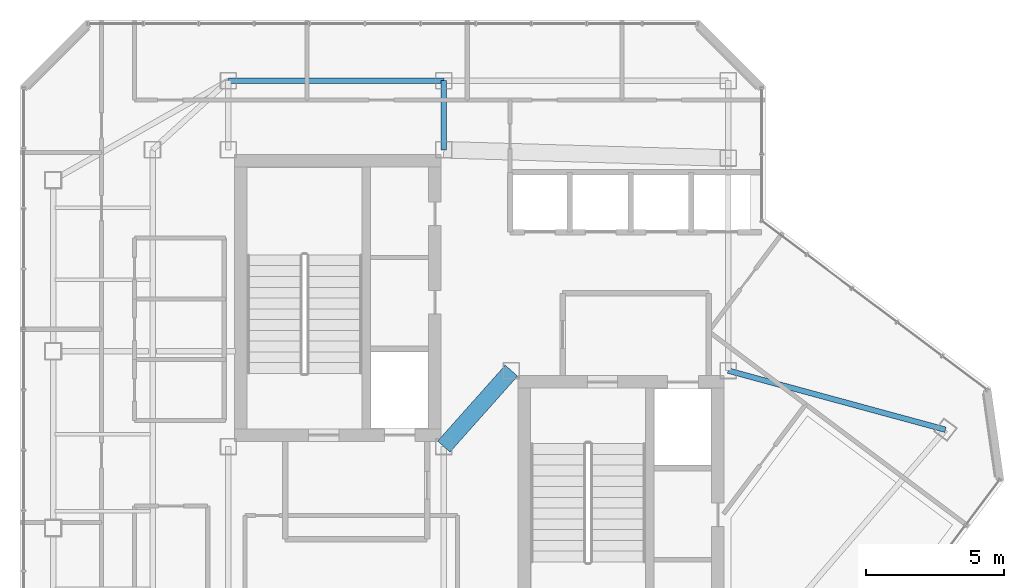
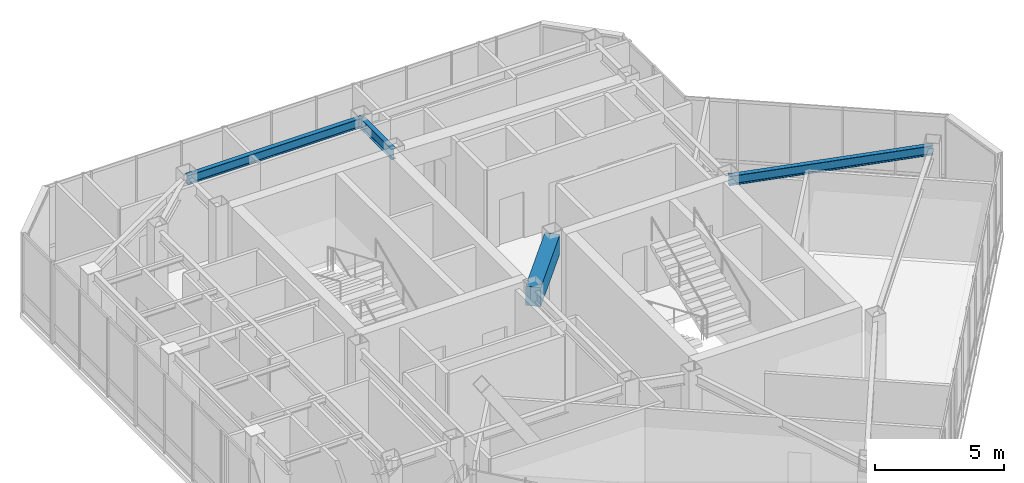
# One storey, part 17 of 31: 4 beams.
"""IFC4 building model written with IfcOpenShell, lengths in metres."""

from ifc_helpers import new_model, si_unit, direction, frame, origin, origin_2d, place, context, subcontext, project, spatial, rectangle, i_section, extrude, material, material_profile, profile_set, type_object, element, save


model = new_model("IFC4")

# Units and contexts
model_context = context("Model", 3, precision=1e-05, world=origin(), true_north=direction((0.0, 1.0)))
body_context = subcontext(model_context, "Body", "Model", "MODEL_VIEW")
ifc_project = project(units=[si_unit("LENGTHUNIT", "METRE"), si_unit("AREAUNIT", "SQUARE_METRE"), si_unit("VOLUMEUNIT", "CUBIC_METRE"), si_unit("PLANEANGLEUNIT", "RADIAN"), si_unit("MASSUNIT", "GRAM", prefix="KILO")], contexts=[model_context])

# Site, building, storey
site_placement = place(None, origin())
site = spatial("IfcSite", under=ifc_project, at=site_placement, CompositionType="ELEMENT")
building_placement = place(site_placement, origin())
building = spatial("IfcBuilding", under=site, at=building_placement, Name="Hatsunagi Terrace Concourse", CompositionType="ELEMENT")
storey_placement = place(building_placement, frame((0.0, 0.0, 269.949951171875)))
storey = spatial("IfcBuildingStorey", under=building, at=storey_placement, Name="L71", CompositionType="ELEMENT", Elevation=269.949951171875)

# Beams
ifc_material_1 = material(Name="Concrete Fc42", Category="concrete")
ifc_material_profile_1 = material_profile(ifc_material_1, rectangle(XDim=0.60009765625, YDim=0.89990234375, at=origin_2d()), Name="RC-600x900")
ifc_profile_set_1 = profile_set([ifc_material_profile_1], Name="Concrete Fc42")
beam_type_1 = type_object("IfcBeamType", Name="CoreCouplingBeam_RC_600x900", PredefinedType="BEAM", material=ifc_profile_set_1)
beam_1_placement = place(storey_placement, frame((33.35009765625, 32.550048828125, 3.300048828125), z_axis=(0.665198651008, 0.746666427997, 0.0), x_axis=(-0.746666427997, 0.665198651008, 0.0)))
element("IfcBeam", 1, at=beam_1_placement, inside=storey, type_object=beam_type_1, Name="Beam CB-03 CB-L71-1", PredefinedType="BEAM", context=body_context, shape_type="SweptSolid", body=[
    extrude(rectangle(XDim=0.60009765625, YDim=0.89990234375, at=origin_2d()), origin(), (0.0, 0.0, 1.0), 3.68310546875),
])
ifc_material_2 = material(Name="Steel SN490B", Category="steel")
ifc_material_profile_2 = material_profile(ifc_material_2, i_section(OverallWidth=0.199951171875, OverallDepth=0.5, WebThickness=0.010009765625, FlangeThickness=0.01611328125, FilletRadius=0.01611328125, at=origin_2d()), Name="H-500x200x10x16")
ifc_profile_set_2 = profile_set([ifc_material_profile_2], Name="Steel SN490B")
beam_type_2 = type_object("IfcBeamType", Name="CrownFloorGirder_H_500x200", PredefinedType="BEAM", material=ifc_profile_set_2)
beam_2_placement = place(storey_placement, frame((33.35009765625, 43.300048828125, 3.5), z_axis=(0.0, 1.0, 0.0), x_axis=(-1.0, 0.0, 0.0)))
element("IfcBeam", 2, at=beam_2_placement, inside=storey, type_object=beam_type_2, Name="Beam G-07 BM-L71-CN2", PredefinedType="BEAM", context=body_context, shape_type="SweptSolid", body=[
    extrude(i_section(OverallWidth=0.199951171875, OverallDepth=0.5, WebThickness=0.010009765625, FlangeThickness=0.01611328125, FilletRadius=0.01611328125, at=origin_2d()), origin(), (0.0, 0.0, 1.0), 2.5),
])
ifc_material_3 = material(Name="Steel SN490B", Category="steel")
ifc_material_profile_3 = material_profile(ifc_material_3, i_section(OverallWidth=0.199951171875, OverallDepth=0.449951171875, WebThickness=0.009033203125, FlangeThickness=0.013916015625, FilletRadius=0.01611328125, at=origin_2d()), Name="H-450x200x9x14")
ifc_profile_set_3 = profile_set([ifc_material_profile_3], Name="Steel SN490B")
beam_type_3 = type_object("IfcBeamType", Name="PerimeterSpandrel_H_450x200", PredefinedType="SPANDREL", material=ifc_profile_set_3)
beam_3_placement = place(storey_placement, frame((25.550048828125, 45.800048828125, 3.525146484375), z_axis=(1.0, 0.0, 0.0), x_axis=(0.0, 1.0, 0.0)))
element("IfcBeam", 3, at=beam_3_placement, inside=storey, type_object=beam_type_3, Name="Beam SP-02 BM-L71-CNEW1", PredefinedType="SPANDREL", context=body_context, shape_type="SweptSolid", body=[
    extrude(i_section(OverallWidth=0.199951171875, OverallDepth=0.449951171875, WebThickness=0.009033203125, FlangeThickness=0.013916015625, FilletRadius=0.01611328125, at=origin_2d()), origin(), (0.0, 0.0, 1.0), 7.800048828125),
])
beam_4_placement = place(storey_placement, frame((43.64990234375, 35.300048828125, 3.525146484375), z_axis=(0.964958359286, -0.262403057994, 0.0), x_axis=(0.262403057994, 0.964958359286, 0.0)))
element("IfcBeam", 4, at=beam_4_placement, inside=storey, type_object=beam_type_3, Name="Beam SP-02 BM-L71-SE-NE0", PredefinedType="SPANDREL", context=body_context, shape_type="SweptSolid", body=[
    extrude(i_section(OverallWidth=0.199951171875, OverallDepth=0.449951171875, WebThickness=0.009033203125, FlangeThickness=0.013916015625, FilletRadius=0.01611328125, at=origin_2d()), origin(), (0.0, 0.0, 1.0), 8.156005859375),
])

save(model, "model.ifc")
